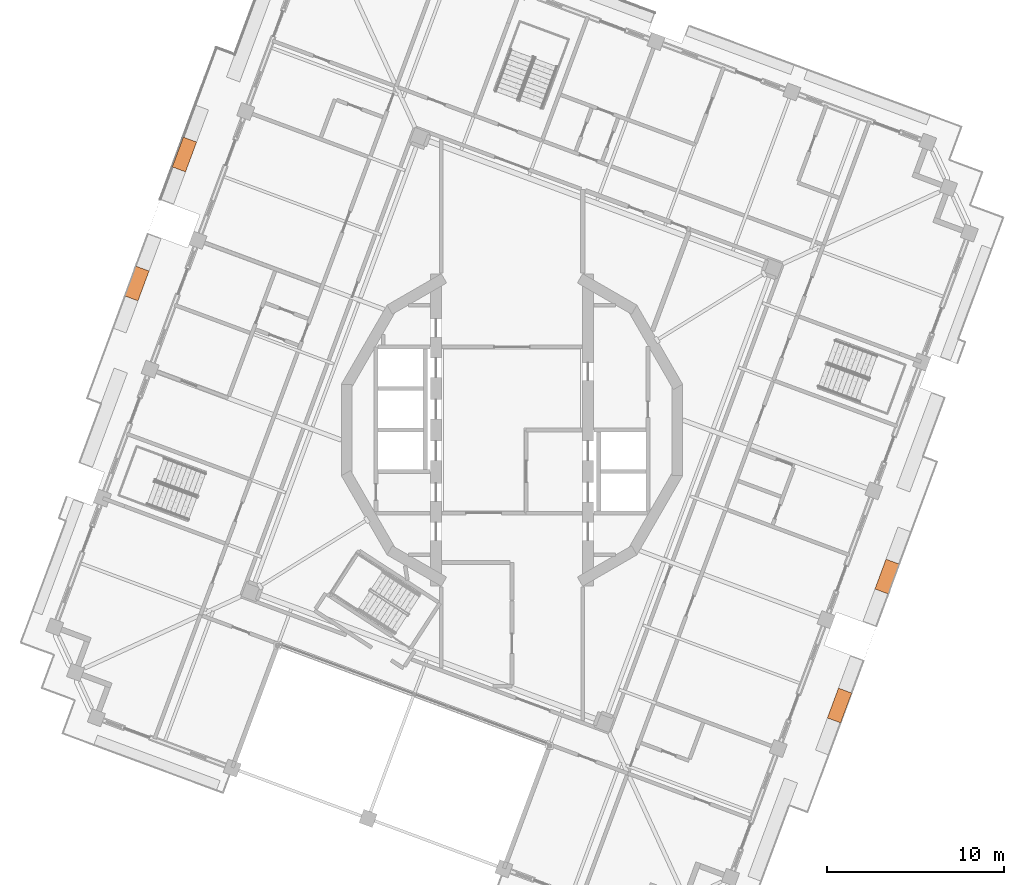
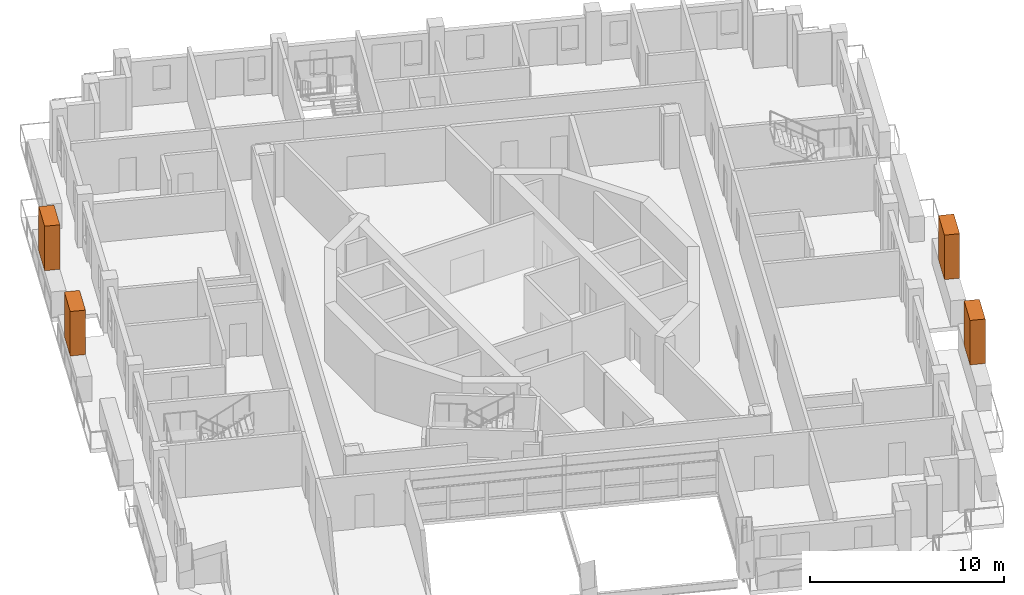
# One storey, part 19 of 19: 4 proxies.
"""IFC4 building model written with IfcOpenShell, lengths in metres."""

from ifc_helpers import new_model, si_unit, direction, frame, origin, origin_2d, place, context, subcontext, project, spatial, rectangle, extrude, element, save


model = new_model("IFC4")

# Units and contexts
model_context = context("Model", 3, precision=1e-05, world=origin(), true_north=direction((0.0, 1.0)))
body_context = subcontext(model_context, "Body", "Model", "MODEL_VIEW")
ifc_project = project(units=[si_unit("LENGTHUNIT", "METRE"), si_unit("AREAUNIT", "SQUARE_METRE"), si_unit("VOLUMEUNIT", "CUBIC_METRE"), si_unit("PLANEANGLEUNIT", "RADIAN"), si_unit("MASSUNIT", "GRAM", prefix="KILO")], contexts=[model_context])

# Site, building, storey
site_placement = place(None, origin())
site = spatial("IfcSite", under=ifc_project, at=site_placement, CompositionType="ELEMENT")
building_placement = place(site_placement, origin())
building = spatial("IfcBuilding", under=site, at=building_placement, Name="Cantera Rosa Tower", CompositionType="ELEMENT")
storey_placement = place(building_placement, frame((0.0, 0.0, 320.5)))
storey = spatial("IfcBuildingStorey", under=building, at=storey_placement, Name="L71", CompositionType="ELEMENT", Elevation=320.5)

# Proxies
for number, where, z_axis, x_axis, name in (
    (1, (-18.54248046875, 15.594970703125, 1.60009765625), (0.0, 0.0, 1.0), (-0.347481234489, -0.937686936924, 0.0), "TREE L71-06"),
    (2, (-21.23388671875, 8.295166015625, 1.60009765625), (0.0, 0.0, 1.0), (-0.347481234489, -0.937686936924, 0.0), "TREE L71-07"),
    (3, (18.54248046875, -15.594970703125, 1.60009765625), (0.0, 0.0, 1.0), (0.347481234489, 0.937686936924, 0.0), "TREE L71-15"),
    (4, (21.23388671875, -8.295166015625, 1.60009765625), (0.0, 0.0, 1.0), (0.347481234489, 0.937686936924, 0.0), "TREE L71-16"),
):
    element("IfcBuildingElementProxy", number, at=place(storey_placement, frame(where, z_axis=z_axis, x_axis=x_axis)), inside=storey, Name=name, ObjectType="TREE", PredefinedType="USERDEFINED", context=body_context, shape_type="SweptSolid", body=[
        extrude(rectangle(XDim=1.800048828125, YDim=0.800048828125, at=origin_2d()), origin(), (0.0, 0.0, 1.0), 2.800048828125),
    ])

save(model, "model.ifc")
